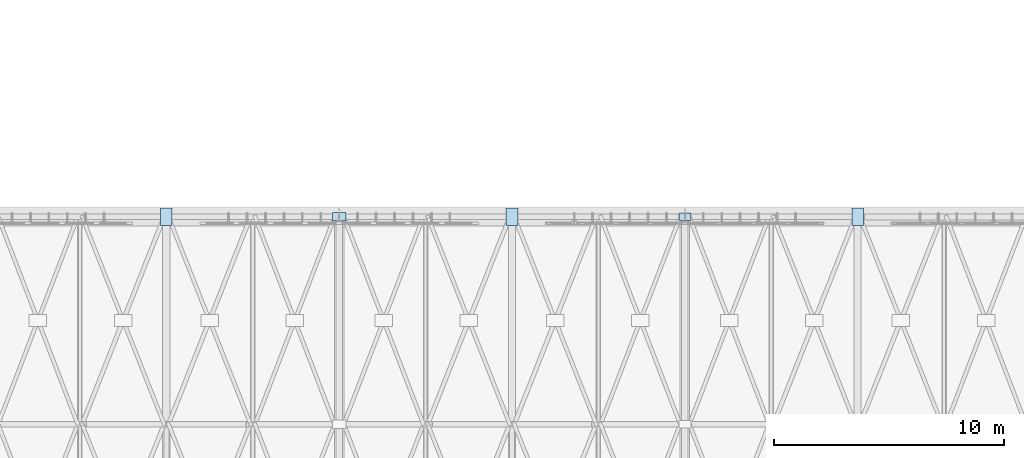
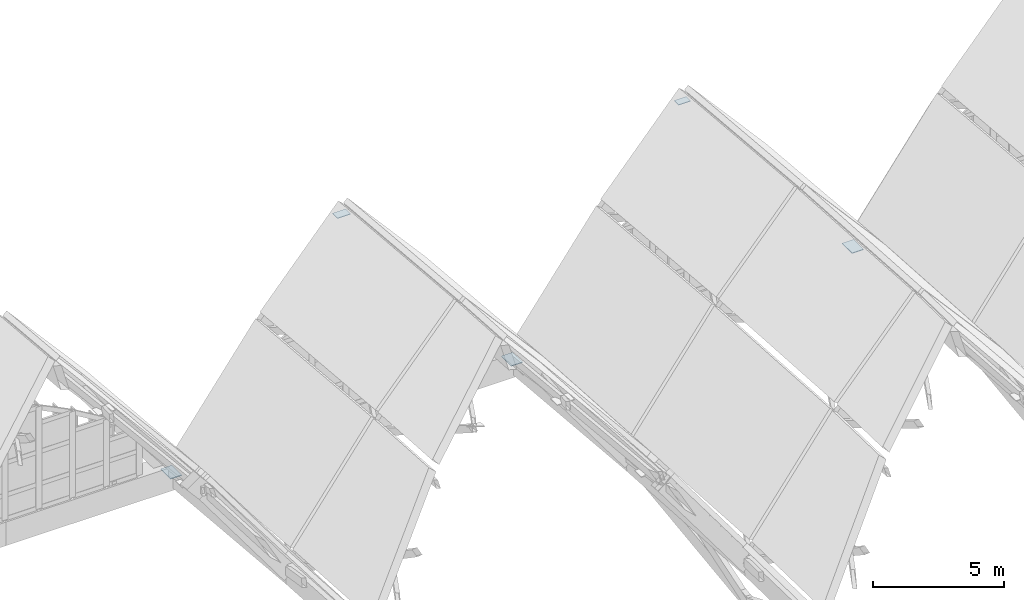
# One storey, part 74 of 93: 5 plates.
"""IFC4 building model written with IfcOpenShell, lengths in metres."""

from ifc_helpers import new_model, si_unit, direction, frame, origin, origin_2d, place, context, subcontext, project, spatial, rectangle, extrude, material, layer, layer_set, type_object, element, save


model = new_model("IFC4")

# Units and contexts
model_context = context("Model", 3, precision=1e-05, world=origin(), true_north=direction((0.0, 1.0)))
body_context = subcontext(model_context, "Body", "Model", "MODEL_VIEW")
ifc_project = project(units=[si_unit("LENGTHUNIT", "METRE"), si_unit("AREAUNIT", "SQUARE_METRE"), si_unit("VOLUMEUNIT", "CUBIC_METRE"), si_unit("PLANEANGLEUNIT", "RADIAN"), si_unit("MASSUNIT", "GRAM", prefix="KILO")], contexts=[model_context])

# Site, building, storey
site_placement = place(None, origin())
site = spatial("IfcSite", under=ifc_project, at=site_placement, CompositionType="ELEMENT")
building_placement = place(site_placement, origin())
building = spatial("IfcBuilding", under=site, at=building_placement, Name="Vourika Railside Aquatics Centre", CompositionType="ELEMENT")
storey_placement = place(building_placement, frame((0.0, 0.0, 21.89990234375)))
storey = spatial("IfcBuildingStorey", under=building, at=storey_placement, Name="Roof", CompositionType="ELEMENT", Elevation=21.89990234375)

# Plates
ifc_material = material(Name="Duplex stainless steel EN 1.4462", Category="steel")
ifc_layer_1 = layer(ifc_material, 0.02001953125, Name="PLT-RIDGE-520x340x20")
ifc_layer_set_1 = layer_set([ifc_layer_1], Name="Duplex stainless steel EN 1.4462")
plate_type_1 = type_object("IfcPlateType", Name="PLT-RIDGE-520x340x20", PredefinedType="USERDEFINED", material=ifc_layer_set_1)
plate_1_placement = place(storey_placement, frame((118.5, 66.0, -2.309814453125), z_axis=(0.0, 0.0, 1.0), x_axis=(1.0, 0.0, 0.0)))
element("IfcPlate", 1, at=plate_1_placement, inside=storey, type_object=plate_type_1, Name="Stainless Vault Ridge Gusset Plate SN-264", ObjectType="GUSSET PLATE", PredefinedType="USERDEFINED", context=body_context, shape_type="SweptSolid", body=[
    extrude(rectangle(XDim=0.52001953125, YDim=0.340087890625, at=origin_2d()), origin(), (0.0, 0.0, 1.0), 0.02001953125),
])
ifc_layer_2 = layer(ifc_material, 0.02490234375, Name="PLT-RIDGE-580x380x25")
ifc_layer_set_2 = layer_set([ifc_layer_2], Name="Duplex stainless steel EN 1.4462")
plate_type_2 = type_object("IfcPlateType", Name="PLT-RIDGE-580x380x25", PredefinedType="USERDEFINED", material=ifc_layer_set_2)
plate_2_placement = place(storey_placement, frame((103.5, 66.0, -2.312255859375), z_axis=(0.0, 0.0, 1.0), x_axis=(1.0, 0.0, 0.0)))
element("IfcPlate", 2, at=plate_2_placement, inside=storey, type_object=plate_type_2, Name="Stainless Vault Ridge Gusset Plate SN-233", ObjectType="GUSSET PLATE", PredefinedType="USERDEFINED", context=body_context, shape_type="SweptSolid", body=[
    extrude(rectangle(XDim=0.580078125, YDim=0.3798828125, at=origin_2d()), origin(), (0.0, 0.0, 1.0), 0.02490234375),
])
ifc_layer_3 = layer(ifc_material, 0.028076171875, Name="PLT-VAL-760x500x28")
ifc_layer_set_3 = layer_set([ifc_layer_3], Name="Duplex stainless steel EN 1.4462")
plate_type_3 = type_object("IfcPlateType", Name="PLT-VAL-760x500x28", PredefinedType="USERDEFINED", material=ifc_layer_set_3)
for number, where, z_axis, x_axis, name in (
    (3, (96.0, 66.0, -11.7138671875), (0.0, 0.0, 1.0), (0.0, 1.0, 0.0), "Stainless Valley Truss Gusset SN-089"),
    (4, (111.0, 66.0, -11.7138671875), (0.0, 0.0, 1.0), (0.0, 1.0, 0.0), "Stainless Valley Truss Gusset SN-095"),
    (5, (126.0, 66.0, -11.7138671875), (0.0, 0.0, 1.0), (0.0, 1.0, 0.0), "Stainless Valley Truss Gusset SN-101"),
):
    element("IfcPlate", number, at=place(storey_placement, frame(where, z_axis=z_axis, x_axis=x_axis)), inside=storey, type_object=plate_type_3, Name=name, ObjectType="GUSSET PLATE", PredefinedType="USERDEFINED", context=body_context, shape_type="SweptSolid", body=[
        extrude(rectangle(XDim=0.760009765625, YDim=0.5, at=origin_2d()), origin(), (0.0, 0.0, 1.0), 0.028076171875),
    ])

save(model, "model.ifc")
